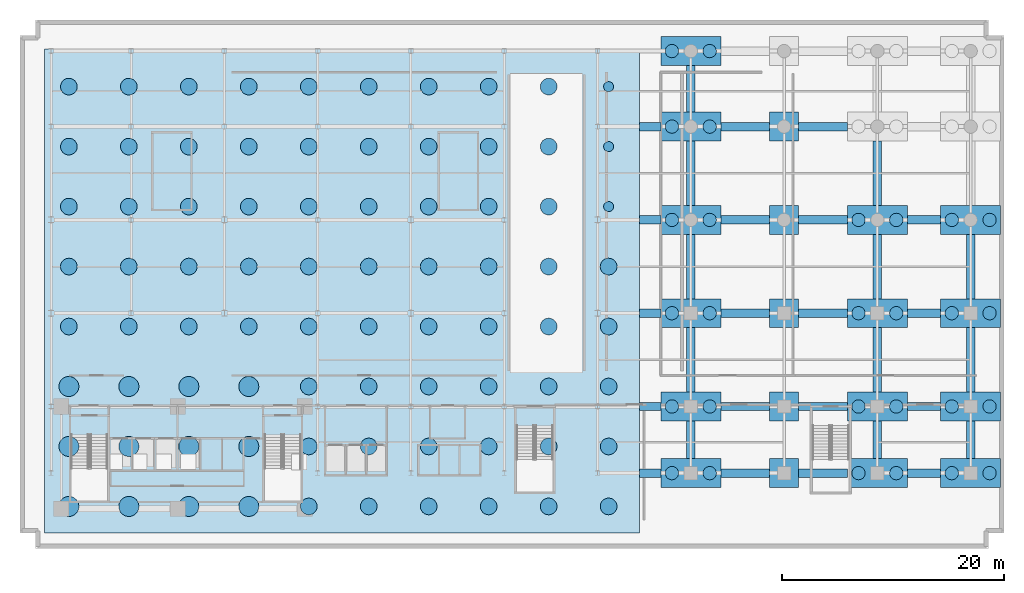
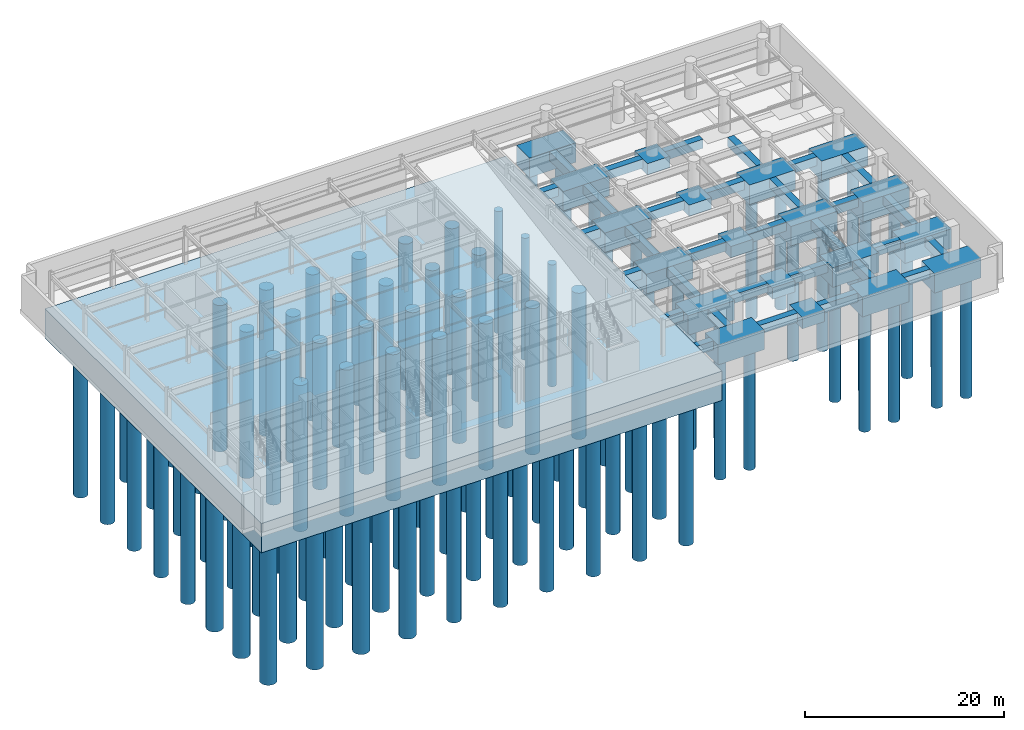
# One storey, part 1 of 14: 108 piles, 51 footings.
"""IFC4 building model written with IfcOpenShell, lengths in metres."""

from ifc_helpers import new_model, si_unit, direction, frame, origin, origin_2d, place, context, subcontext, project, spatial, polyline, rectangle, circle, outline, extrude, material, layer, layer_set, material_profile, profile_set, type_object, element, save


model = new_model("IFC4")

# Units and contexts
model_context = context("Model", 3, precision=1e-05, world=origin(), true_north=direction((0.0, 1.0)))
body_context = subcontext(model_context, "Body", "Model", "MODEL_VIEW")
ifc_project = project(units=[si_unit("LENGTHUNIT", "METRE"), si_unit("AREAUNIT", "SQUARE_METRE"), si_unit("VOLUMEUNIT", "CUBIC_METRE"), si_unit("PLANEANGLEUNIT", "RADIAN"), si_unit("MASSUNIT", "GRAM", prefix="KILO")], contexts=[model_context])

# Site, building, storey
site_placement = place(None, origin())
site = spatial("IfcSite", under=ifc_project, at=site_placement, CompositionType="ELEMENT")
building_placement = place(site_placement, origin())
building = spatial("IfcBuilding", under=site, at=building_placement, Name="Varnakote Quay Hospital", CompositionType="ELEMENT")
storey_placement = place(building_placement, frame((0.0, 0.0, -9.0)))
storey = spatial("IfcBuildingStorey", under=building, at=storey_placement, Name="B02", CompositionType="ELEMENT", Elevation=-9.0)

# Footings
ifc_material_1 = material(Name="Concrete N50 (f'c 50 MPa)", Category="concrete")
ifc_layer_1 = layer(ifc_material_1, 1.39990234375)
ifc_layer_set_1 = layer_set([ifc_layer_1], Name="Concrete N50 (f'c 50 MPa)")
footing_type_1 = type_object("IfcFootingType", Name="FTG-PAD-1400", PredefinedType="PAD_FOOTING", material=ifc_layer_set_1)
for number, where, z_axis, x_axis, name in (
    (1, (67.199951171875, 6.0, -1.39990234375), (0.0, 0.0, 1.0), (1.0, 0.0, 0.0), "Podium Pad Footing PF-20"),
    (2, (67.199951171875, 12.0, -1.39990234375), (0.0, 0.0, 1.0), (1.0, 0.0, 0.0), "Podium Pad Footing PF-21"),
    (3, (67.199951171875, 20.39990234375, -1.39990234375), (0.0, 0.0, 1.0), (1.0, 0.0, 0.0), "Podium Pad Footing PF-22"),
    (4, (67.199951171875, 28.800048828125, -1.39990234375), (0.0, 0.0, 1.0), (1.0, 0.0, 0.0), "Podium Pad Footing PF-23"),
    (5, (67.199951171875, 37.199951171875, -1.39990234375), (0.0, 0.0, 1.0), (1.0, 0.0, 0.0), "Podium Pad Footing PF-24"),
):
    element("IfcFooting", number, at=place(storey_placement, frame(where, z_axis=z_axis, x_axis=x_axis)), inside=storey, type_object=footing_type_1, Name=name, PredefinedType="PAD_FOOTING", context=body_context, shape_type="SweptSolid", body=[
        extrude(rectangle(XDim=2.60009765625, YDim=2.60009765625, at=origin_2d()), origin(), (0.0, 0.0, 1.0), 1.39990234375),
    ])
ifc_material_2 = material(Name="Concrete N50 (f'c 50 MPa)", Category="concrete")
ifc_layer_2 = layer(ifc_material_2, 2.39990234375)
ifc_layer_set_2 = layer_set([ifc_layer_2], Name="Concrete N50 (f'c 50 MPa)")
footing_type_2 = type_object("IfcFootingType", Name="FTG-PILE-CAP-2400", PredefinedType="PILE_CAP", material=ifc_layer_set_2)
for number, where, z_axis, x_axis, name in (
    (6, (58.800048828125, 6.0, -2.39990234375), (0.0, 0.0, 1.0), (1.0, 0.0, 0.0), "Podium Bored Pile Cap PC-02"),
    (7, (58.800048828125, 12.0, -2.39990234375), (0.0, 0.0, 1.0), (1.0, 0.0, 0.0), "Podium Bored Pile Cap PC-03"),
    (8, (58.800048828125, 20.39990234375, -2.39990234375), (0.0, 0.0, 1.0), (1.0, 0.0, 0.0), "Podium Bored Pile Cap PC-04"),
    (9, (58.800048828125, 28.800048828125, -2.39990234375), (0.0, 0.0, 1.0), (1.0, 0.0, 0.0), "Podium Bored Pile Cap PC-05"),
    (10, (58.800048828125, 37.199951171875, -2.39990234375), (0.0, 0.0, 1.0), (1.0, 0.0, 0.0), "Podium Bored Pile Cap PC-06"),
    (11, (58.800048828125, 44.0, -2.39990234375), (0.0, 0.0, 1.0), (1.0, 0.0, 0.0), "Podium Bored Pile Cap PC-07"),
    (12, (75.60009765625, 6.0, -2.39990234375), (0.0, 0.0, 1.0), (1.0, 0.0, 0.0), "Podium Bored Pile Cap PC-08"),
    (13, (75.60009765625, 12.0, -2.39990234375), (0.0, 0.0, 1.0), (1.0, 0.0, 0.0), "Podium Bored Pile Cap PC-09"),
    (14, (75.60009765625, 20.39990234375, -2.39990234375), (0.0, 0.0, 1.0), (1.0, 0.0, 0.0), "Podium Bored Pile Cap PC-10"),
    (15, (75.60009765625, 28.800048828125, -2.39990234375), (0.0, 0.0, 1.0), (1.0, 0.0, 0.0), "Podium Bored Pile Cap PC-11"),
    (16, (84.0, 6.0, -2.39990234375), (0.0, 0.0, 1.0), (1.0, 0.0, 0.0), "Podium Bored Pile Cap PC-14"),
    (17, (84.0, 12.0, -2.39990234375), (0.0, 0.0, 1.0), (1.0, 0.0, 0.0), "Podium Bored Pile Cap PC-15"),
    (18, (84.0, 20.39990234375, -2.39990234375), (0.0, 0.0, 1.0), (1.0, 0.0, 0.0), "Podium Bored Pile Cap PC-16"),
    (19, (84.0, 28.800048828125, -2.39990234375), (0.0, 0.0, 1.0), (1.0, 0.0, 0.0), "Podium Bored Pile Cap PC-17"),
):
    element("IfcFooting", number, at=place(storey_placement, frame(where, z_axis=z_axis, x_axis=x_axis)), inside=storey, type_object=footing_type_2, Name=name, PredefinedType="PILE_CAP", context=body_context, shape_type="SweptSolid", body=[
        extrude(rectangle(XDim=5.39990234375, YDim=2.60009765625, at=origin_2d()), origin(), (0.0, 0.0, 1.0), 2.39990234375),
    ])
ifc_material_3 = material(Name="Concrete N50 (f'c 50 MPa)", Category="concrete")
ifc_layer_3 = layer(ifc_material_3, 3.60009765625)
ifc_layer_set_3 = layer_set([ifc_layer_3], Name="Concrete N50 (f'c 50 MPa)")
footing_type_3 = type_object("IfcFootingType", Name="FTG-PILED-RAFT-3600", PredefinedType="USERDEFINED", material=ifc_layer_set_3)
footing_1_placement = place(storey_placement, frame((0.0, 0.0, -3.60009765625)))
element("IfcFooting", 20, at=footing_1_placement, inside=storey, type_object=footing_type_3, Name="Tower Piled Raft Foundation", ObjectType="PILED_RAFT", PredefinedType="USERDEFINED", context=body_context, shape_type="SweptSolid", body=[
    extrude(outline(polyline([(0.60009765625, 0.60009765625), (54.199951171875, 0.60009765625), (54.199951171875, 44.199951171875), (0.60009765625, 44.199951171875), (0.60009765625, 0.60009765625)])), origin(), (0.0, 0.0, 1.0), 3.60009765625),
])
ifc_material_4 = material(Name="Concrete N50 (f'c 50 MPa)", Category="concrete")
ifc_material_profile_1 = material_profile(ifc_material_4, rectangle(XDim=0.75, YDim=1.10009765625, at=origin_2d()), Name="RC-GB-750x1100")
ifc_profile_set_1 = profile_set([ifc_material_profile_1], Name="Concrete N50 (f'c 50 MPa)")
footing_type_4 = type_object("IfcFootingType", Name="FTG-TIE-BEAM-750x1100", PredefinedType="FOOTING_BEAM", material=ifc_profile_set_1)
footing_2_placement = place(storey_placement, frame((54.199951171875, 6.0, -0.550048828125), z_axis=(1.0, 0.0, 0.0), x_axis=(0.0, 1.0, 0.0)))
element("IfcFooting", 21, at=footing_2_placement, inside=storey, type_object=footing_type_4, Name="Foundation Ground Tie Beam GB-01", PredefinedType="FOOTING_BEAM", context=body_context, shape_type="SweptSolid", body=[
    extrude(rectangle(XDim=0.75, YDim=1.10009765625, at=origin_2d()), origin(), (0.0, 0.0, 1.0), 1.900146484375),
])
for number, where, z_axis, x_axis, name in (
    (22, (61.5, 6.0, -0.550048828125), (1.0, 0.0, 0.0), (0.0, 1.0, 0.0), "Foundation Ground Tie Beam GB-02"),
    (23, (68.5, 6.0, -0.550048828125), (1.0, 0.0, 0.0), (0.0, 1.0, 0.0), "Foundation Ground Tie Beam GB-03"),
):
    element("IfcFooting", number, at=place(storey_placement, frame(where, z_axis=z_axis, x_axis=x_axis)), inside=storey, type_object=footing_type_4, Name=name, PredefinedType="FOOTING_BEAM", context=body_context, shape_type="SweptSolid", body=[
        extrude(rectangle(XDim=0.75, YDim=1.10009765625, at=origin_2d()), origin(), (0.0, 0.0, 1.0), 4.39990234375),
    ])
footing_3_placement = place(storey_placement, frame((78.300048828125, 6.0, -0.550048828125), z_axis=(1.0, 0.0, 0.0), x_axis=(0.0, 1.0, 0.0)))
element("IfcFooting", 24, at=footing_3_placement, inside=storey, type_object=footing_type_4, Name="Foundation Ground Tie Beam GB-04", PredefinedType="FOOTING_BEAM", context=body_context, shape_type="SweptSolid", body=[
    extrude(rectangle(XDim=0.75, YDim=1.10009765625, at=origin_2d()), origin(), (0.0, 0.0, 1.0), 3.0),
])
for number, where, z_axis, x_axis, name in (
    (25, (58.800048828125, 7.300048828125, -0.550048828125), (0.0, 1.0, 0.0), (-1.0, 0.0, 0.0), "Foundation Ground Tie Beam GB-05"),
    (26, (75.60009765625, 7.300048828125, -0.550048828125), (0.0, 1.0, 0.0), (-1.0, 0.0, 0.0), "Foundation Ground Tie Beam GB-06"),
    (27, (84.0, 7.300048828125, -0.550048828125), (0.0, 1.0, 0.0), (-1.0, 0.0, 0.0), "Foundation Ground Tie Beam GB-07"),
):
    element("IfcFooting", number, at=place(storey_placement, frame(where, z_axis=z_axis, x_axis=x_axis)), inside=storey, type_object=footing_type_4, Name=name, PredefinedType="FOOTING_BEAM", context=body_context, shape_type="SweptSolid", body=[
        extrude(rectangle(XDim=0.75, YDim=1.10009765625, at=origin_2d()), origin(), (0.0, 0.0, 1.0), 3.39990234375),
    ])
footing_4_placement = place(storey_placement, frame((54.199951171875, 12.0, -0.550048828125), z_axis=(1.0, 0.0, 0.0), x_axis=(0.0, 1.0, 0.0)))
element("IfcFooting", 28, at=footing_4_placement, inside=storey, type_object=footing_type_4, Name="Foundation Ground Tie Beam GB-08", PredefinedType="FOOTING_BEAM", context=body_context, shape_type="SweptSolid", body=[
    extrude(rectangle(XDim=0.75, YDim=1.10009765625, at=origin_2d()), origin(), (0.0, 0.0, 1.0), 1.900146484375),
])
for number, where, z_axis, x_axis, name in (
    (29, (61.5, 12.0, -0.550048828125), (1.0, 0.0, 0.0), (0.0, 1.0, 0.0), "Foundation Ground Tie Beam GB-09"),
    (30, (68.5, 12.0, -0.550048828125), (1.0, 0.0, 0.0), (0.0, 1.0, 0.0), "Foundation Ground Tie Beam GB-10"),
):
    element("IfcFooting", number, at=place(storey_placement, frame(where, z_axis=z_axis, x_axis=x_axis)), inside=storey, type_object=footing_type_4, Name=name, PredefinedType="FOOTING_BEAM", context=body_context, shape_type="SweptSolid", body=[
        extrude(rectangle(XDim=0.75, YDim=1.10009765625, at=origin_2d()), origin(), (0.0, 0.0, 1.0), 4.39990234375),
    ])
footing_5_placement = place(storey_placement, frame((78.300048828125, 12.0, -0.550048828125), z_axis=(1.0, 0.0, 0.0), x_axis=(0.0, 1.0, 0.0)))
element("IfcFooting", 31, at=footing_5_placement, inside=storey, type_object=footing_type_4, Name="Foundation Ground Tie Beam GB-11", PredefinedType="FOOTING_BEAM", context=body_context, shape_type="SweptSolid", body=[
    extrude(rectangle(XDim=0.75, YDim=1.10009765625, at=origin_2d()), origin(), (0.0, 0.0, 1.0), 3.0),
])
for number, where, z_axis, x_axis, name in (
    (32, (58.800048828125, 13.300048828125, -0.550048828125), (0.0, 1.0, 0.0), (-1.0, 0.0, 0.0), "Foundation Ground Tie Beam GB-12"),
    (33, (75.60009765625, 13.300048828125, -0.550048828125), (0.0, 1.0, 0.0), (-1.0, 0.0, 0.0), "Foundation Ground Tie Beam GB-13"),
    (34, (84.0, 13.300048828125, -0.550048828125), (0.0, 1.0, 0.0), (-1.0, 0.0, 0.0), "Foundation Ground Tie Beam GB-14"),
):
    element("IfcFooting", number, at=place(storey_placement, frame(where, z_axis=z_axis, x_axis=x_axis)), inside=storey, type_object=footing_type_4, Name=name, PredefinedType="FOOTING_BEAM", context=body_context, shape_type="SweptSolid", body=[
        extrude(rectangle(XDim=0.75, YDim=1.10009765625, at=origin_2d()), origin(), (0.0, 0.0, 1.0), 5.800048828125),
    ])
footing_6_placement = place(storey_placement, frame((54.199951171875, 20.39990234375, -0.550048828125), z_axis=(1.0, 0.0, 0.0), x_axis=(0.0, 1.0, 0.0)))
element("IfcFooting", 35, at=footing_6_placement, inside=storey, type_object=footing_type_4, Name="Foundation Ground Tie Beam GB-15", PredefinedType="FOOTING_BEAM", context=body_context, shape_type="SweptSolid", body=[
    extrude(rectangle(XDim=0.75, YDim=1.10009765625, at=origin_2d()), origin(), (0.0, 0.0, 1.0), 1.900146484375),
])
for number, where, z_axis, x_axis, name in (
    (36, (61.5, 20.39990234375, -0.550048828125), (1.0, 0.0, 0.0), (0.0, 1.0, 0.0), "Foundation Ground Tie Beam GB-16"),
    (37, (68.5, 20.39990234375, -0.550048828125), (1.0, 0.0, 0.0), (0.0, 1.0, 0.0), "Foundation Ground Tie Beam GB-17"),
):
    element("IfcFooting", number, at=place(storey_placement, frame(where, z_axis=z_axis, x_axis=x_axis)), inside=storey, type_object=footing_type_4, Name=name, PredefinedType="FOOTING_BEAM", context=body_context, shape_type="SweptSolid", body=[
        extrude(rectangle(XDim=0.75, YDim=1.10009765625, at=origin_2d()), origin(), (0.0, 0.0, 1.0), 4.39990234375),
    ])
footing_7_placement = place(storey_placement, frame((78.300048828125, 20.39990234375, -0.550048828125), z_axis=(1.0, 0.0, 0.0), x_axis=(0.0, 1.0, 0.0)))
element("IfcFooting", 38, at=footing_7_placement, inside=storey, type_object=footing_type_4, Name="Foundation Ground Tie Beam GB-18", PredefinedType="FOOTING_BEAM", context=body_context, shape_type="SweptSolid", body=[
    extrude(rectangle(XDim=0.75, YDim=1.10009765625, at=origin_2d()), origin(), (0.0, 0.0, 1.0), 3.0),
])
for number, where, z_axis, x_axis, name in (
    (39, (58.800048828125, 21.699951171875, -0.550048828125), (0.0, 1.0, 0.0), (-1.0, 0.0, 0.0), "Foundation Ground Tie Beam GB-19"),
    (40, (75.60009765625, 21.699951171875, -0.550048828125), (0.0, 1.0, 0.0), (-1.0, 0.0, 0.0), "Foundation Ground Tie Beam GB-20"),
    (41, (84.0, 21.699951171875, -0.550048828125), (0.0, 1.0, 0.0), (-1.0, 0.0, 0.0), "Foundation Ground Tie Beam GB-21"),
):
    element("IfcFooting", number, at=place(storey_placement, frame(where, z_axis=z_axis, x_axis=x_axis)), inside=storey, type_object=footing_type_4, Name=name, PredefinedType="FOOTING_BEAM", context=body_context, shape_type="SweptSolid", body=[
        extrude(rectangle(XDim=0.75, YDim=1.10009765625, at=origin_2d()), origin(), (0.0, 0.0, 1.0), 5.800048828125),
    ])
footing_8_placement = place(storey_placement, frame((54.199951171875, 28.800048828125, -0.550048828125), z_axis=(1.0, 0.0, 0.0), x_axis=(0.0, 1.0, 0.0)))
element("IfcFooting", 42, at=footing_8_placement, inside=storey, type_object=footing_type_4, Name="Foundation Ground Tie Beam GB-22", PredefinedType="FOOTING_BEAM", context=body_context, shape_type="SweptSolid", body=[
    extrude(rectangle(XDim=0.75, YDim=1.10009765625, at=origin_2d()), origin(), (0.0, 0.0, 1.0), 1.900146484375),
])
for number, where, z_axis, x_axis, name in (
    (43, (61.5, 28.800048828125, -0.550048828125), (1.0, 0.0, 0.0), (0.0, 1.0, 0.0), "Foundation Ground Tie Beam GB-23"),
    (44, (68.5, 28.800048828125, -0.550048828125), (1.0, 0.0, 0.0), (0.0, 1.0, 0.0), "Foundation Ground Tie Beam GB-24"),
):
    element("IfcFooting", number, at=place(storey_placement, frame(where, z_axis=z_axis, x_axis=x_axis)), inside=storey, type_object=footing_type_4, Name=name, PredefinedType="FOOTING_BEAM", context=body_context, shape_type="SweptSolid", body=[
        extrude(rectangle(XDim=0.75, YDim=1.10009765625, at=origin_2d()), origin(), (0.0, 0.0, 1.0), 4.39990234375),
    ])
footing_9_placement = place(storey_placement, frame((78.300048828125, 28.800048828125, -0.550048828125), z_axis=(1.0, 0.0, 0.0), x_axis=(0.0, 1.0, 0.0)))
element("IfcFooting", 45, at=footing_9_placement, inside=storey, type_object=footing_type_4, Name="Foundation Ground Tie Beam GB-25", PredefinedType="FOOTING_BEAM", context=body_context, shape_type="SweptSolid", body=[
    extrude(rectangle(XDim=0.75, YDim=1.10009765625, at=origin_2d()), origin(), (0.0, 0.0, 1.0), 3.0),
])
for number, where, z_axis, x_axis, name in (
    (46, (58.800048828125, 30.10009765625, -0.550048828125), (0.0, 1.0, 0.0), (-1.0, 0.0, 0.0), "Foundation Ground Tie Beam GB-26"),
    (47, (75.60009765625, 30.10009765625, -0.550048828125), (0.0, 1.0, 0.0), (-1.0, 0.0, 0.0), "Foundation Ground Tie Beam GB-27"),
):
    element("IfcFooting", number, at=place(storey_placement, frame(where, z_axis=z_axis, x_axis=x_axis)), inside=storey, type_object=footing_type_4, Name=name, PredefinedType="FOOTING_BEAM", context=body_context, shape_type="SweptSolid", body=[
        extrude(rectangle(XDim=0.75, YDim=1.10009765625, at=origin_2d()), origin(), (0.0, 0.0, 1.0), 5.7998046875),
    ])
footing_10_placement = place(storey_placement, frame((54.199951171875, 37.199951171875, -0.550048828125), z_axis=(1.0, 0.0, 0.0), x_axis=(0.0, 1.0, 0.0)))
element("IfcFooting", 48, at=footing_10_placement, inside=storey, type_object=footing_type_4, Name="Foundation Ground Tie Beam GB-29", PredefinedType="FOOTING_BEAM", context=body_context, shape_type="SweptSolid", body=[
    extrude(rectangle(XDim=0.75, YDim=1.10009765625, at=origin_2d()), origin(), (0.0, 0.0, 1.0), 1.900146484375),
])
for number, where, z_axis, x_axis, name in (
    (49, (61.5, 37.199951171875, -0.550048828125), (1.0, 0.0, 0.0), (0.0, 1.0, 0.0), "Foundation Ground Tie Beam GB-30"),
    (50, (68.5, 37.199951171875, -0.550048828125), (1.0, 0.0, 0.0), (0.0, 1.0, 0.0), "Foundation Ground Tie Beam GB-31"),
):
    element("IfcFooting", number, at=place(storey_placement, frame(where, z_axis=z_axis, x_axis=x_axis)), inside=storey, type_object=footing_type_4, Name=name, PredefinedType="FOOTING_BEAM", context=body_context, shape_type="SweptSolid", body=[
        extrude(rectangle(XDim=0.75, YDim=1.10009765625, at=origin_2d()), origin(), (0.0, 0.0, 1.0), 4.39990234375),
    ])
footing_11_placement = place(storey_placement, frame((58.800048828125, 38.5, -0.550048828125), z_axis=(0.0, 1.0, 0.0), x_axis=(-1.0, 0.0, 0.0)))
element("IfcFooting", 51, at=footing_11_placement, inside=storey, type_object=footing_type_4, Name="Foundation Ground Tie Beam GB-33", PredefinedType="FOOTING_BEAM", context=body_context, shape_type="SweptSolid", body=[
    extrude(rectangle(XDim=0.75, YDim=1.10009765625, at=origin_2d()), origin(), (0.0, 0.0, 1.0), 4.199951171875),
])

# Piles
ifc_material_5 = material(Name="Concrete N50 (f'c 50 MPa)", Category="concrete")
ifc_material_profile_2 = material_profile(ifc_material_5, circle(Radius=0.60009765625, at=origin_2d()), Name="PILE-D1200")
ifc_profile_set_2 = profile_set([ifc_material_profile_2], Name="Concrete N50 (f'c 50 MPa)")
pile_type_1 = type_object("IfcPileType", Name="PILE-BORED-D1200", PredefinedType="BORED", material=ifc_profile_set_2)
for number, where, z_axis, x_axis, name in (
    (52, (57.10009765625, 6.0, -2.280029296875), (0.0, 0.0, -1.0), (1.0, 0.0, 0.0), "Podium Cap Bored Pile P-081"),
    (53, (60.5, 6.0, -2.280029296875), (0.0, 0.0, -1.0), (1.0, 0.0, 0.0), "Podium Cap Bored Pile P-082"),
    (54, (57.10009765625, 12.0, -2.280029296875), (0.0, 0.0, -1.0), (1.0, 0.0, 0.0), "Podium Cap Bored Pile P-083"),
    (55, (60.5, 12.0, -2.280029296875), (0.0, 0.0, -1.0), (1.0, 0.0, 0.0), "Podium Cap Bored Pile P-084"),
    (56, (57.10009765625, 20.39990234375, -2.280029296875), (0.0, 0.0, -1.0), (1.0, 0.0, 0.0), "Podium Cap Bored Pile P-085"),
    (57, (60.5, 20.39990234375, -2.280029296875), (0.0, 0.0, -1.0), (1.0, 0.0, 0.0), "Podium Cap Bored Pile P-086"),
    (58, (57.10009765625, 28.800048828125, -2.280029296875), (0.0, 0.0, -1.0), (1.0, 0.0, 0.0), "Podium Cap Bored Pile P-087"),
    (59, (60.5, 28.800048828125, -2.280029296875), (0.0, 0.0, -1.0), (1.0, 0.0, 0.0), "Podium Cap Bored Pile P-088"),
    (60, (57.10009765625, 37.199951171875, -2.280029296875), (0.0, 0.0, -1.0), (1.0, 0.0, 0.0), "Podium Cap Bored Pile P-089"),
    (61, (60.5, 37.199951171875, -2.280029296875), (0.0, 0.0, -1.0), (1.0, 0.0, 0.0), "Podium Cap Bored Pile P-090"),
    (62, (57.10009765625, 44.0, -2.280029296875), (0.0, 0.0, -1.0), (1.0, 0.0, 0.0), "Podium Cap Bored Pile P-091"),
    (63, (60.5, 44.0, -2.280029296875), (0.0, 0.0, -1.0), (1.0, 0.0, 0.0), "Podium Cap Bored Pile P-092"),
    (64, (73.89990234375, 6.0, -2.280029296875), (0.0, 0.0, -1.0), (1.0, 0.0, 0.0), "Podium Cap Bored Pile P-093"),
    (65, (77.300048828125, 6.0, -2.280029296875), (0.0, 0.0, -1.0), (1.0, 0.0, 0.0), "Podium Cap Bored Pile P-094"),
    (66, (73.89990234375, 12.0, -2.280029296875), (0.0, 0.0, -1.0), (1.0, 0.0, 0.0), "Podium Cap Bored Pile P-095"),
    (67, (77.300048828125, 12.0, -2.280029296875), (0.0, 0.0, -1.0), (1.0, 0.0, 0.0), "Podium Cap Bored Pile P-096"),
    (68, (73.89990234375, 20.39990234375, -2.280029296875), (0.0, 0.0, -1.0), (1.0, 0.0, 0.0), "Podium Cap Bored Pile P-097"),
    (69, (77.300048828125, 20.39990234375, -2.280029296875), (0.0, 0.0, -1.0), (1.0, 0.0, 0.0), "Podium Cap Bored Pile P-098"),
    (70, (73.89990234375, 28.800048828125, -2.280029296875), (0.0, 0.0, -1.0), (1.0, 0.0, 0.0), "Podium Cap Bored Pile P-099"),
    (71, (77.300048828125, 28.800048828125, -2.280029296875), (0.0, 0.0, -1.0), (1.0, 0.0, 0.0), "Podium Cap Bored Pile P-100"),
    (72, (82.300048828125, 6.0, -2.280029296875), (0.0, 0.0, -1.0), (1.0, 0.0, 0.0), "Podium Cap Bored Pile P-105"),
    (73, (85.699951171875, 6.0, -2.280029296875), (0.0, 0.0, -1.0), (1.0, 0.0, 0.0), "Podium Cap Bored Pile P-106"),
    (74, (82.300048828125, 12.0, -2.280029296875), (0.0, 0.0, -1.0), (1.0, 0.0, 0.0), "Podium Cap Bored Pile P-107"),
    (75, (85.699951171875, 12.0, -2.280029296875), (0.0, 0.0, -1.0), (1.0, 0.0, 0.0), "Podium Cap Bored Pile P-108"),
    (76, (82.300048828125, 20.39990234375, -2.280029296875), (0.0, 0.0, -1.0), (1.0, 0.0, 0.0), "Podium Cap Bored Pile P-109"),
    (77, (85.699951171875, 20.39990234375, -2.280029296875), (0.0, 0.0, -1.0), (1.0, 0.0, 0.0), "Podium Cap Bored Pile P-110"),
    (78, (82.300048828125, 28.800048828125, -2.280029296875), (0.0, 0.0, -1.0), (1.0, 0.0, 0.0), "Podium Cap Bored Pile P-111"),
    (79, (85.699951171875, 28.800048828125, -2.280029296875), (0.0, 0.0, -1.0), (1.0, 0.0, 0.0), "Podium Cap Bored Pile P-112"),
):
    element("IfcPile", number, at=place(storey_placement, frame(where, z_axis=z_axis, x_axis=x_axis)), inside=storey, type_object=pile_type_1, Name=name, PredefinedType="BORED", context=body_context, shape_type="SweptSolid", body=[
        extrude(circle(Radius=0.60009765625, at=origin_2d()), origin(), (0.0, 0.0, 1.0), 15.0),
    ])
ifc_material_6 = material(Name="Concrete N50 (f'c 50 MPa)", Category="concrete")
ifc_material_profile_3 = material_profile(ifc_material_6, circle(Radius=0.75, at=origin_2d()), Name="PILE-D1500")
ifc_profile_set_3 = profile_set([ifc_material_profile_3], Name="Concrete N50 (f'c 50 MPa)")
pile_type_2 = type_object("IfcPileType", Name="PILE-BORED-D1500", PredefinedType="BORED", material=ifc_profile_set_3)
for number, where, z_axis, x_axis, name in (
    (80, (2.800048828125, 19.199951171875, -3.47998046875), (0.0, 0.0, -1.0), (1.0, 0.0, 0.0), "Tower Raft Bored Pile P-004"),
    (81, (2.800048828125, 24.60009765625, -3.47998046875), (0.0, 0.0, -1.0), (1.0, 0.0, 0.0), "Tower Raft Bored Pile P-005"),
    (82, (2.800048828125, 30.0, -3.47998046875), (0.0, 0.0, -1.0), (1.0, 0.0, 0.0), "Tower Raft Bored Pile P-006"),
    (83, (2.800048828125, 35.39990234375, -3.47998046875), (0.0, 0.0, -1.0), (1.0, 0.0, 0.0), "Tower Raft Bored Pile P-007"),
    (84, (2.800048828125, 40.800048828125, -3.47998046875), (0.0, 0.0, -1.0), (1.0, 0.0, 0.0), "Tower Raft Bored Pile P-008"),
    (85, (8.199951171875, 19.199951171875, -3.47998046875), (0.0, 0.0, -1.0), (1.0, 0.0, 0.0), "Tower Raft Bored Pile P-012"),
    (86, (8.199951171875, 24.60009765625, -3.47998046875), (0.0, 0.0, -1.0), (1.0, 0.0, 0.0), "Tower Raft Bored Pile P-013"),
    (87, (8.199951171875, 30.0, -3.47998046875), (0.0, 0.0, -1.0), (1.0, 0.0, 0.0), "Tower Raft Bored Pile P-014"),
    (88, (8.199951171875, 35.39990234375, -3.47998046875), (0.0, 0.0, -1.0), (1.0, 0.0, 0.0), "Tower Raft Bored Pile P-015"),
    (89, (8.199951171875, 40.800048828125, -3.47998046875), (0.0, 0.0, -1.0), (1.0, 0.0, 0.0), "Tower Raft Bored Pile P-016"),
    (90, (13.60009765625, 19.199951171875, -3.47998046875), (0.0, 0.0, -1.0), (1.0, 0.0, 0.0), "Tower Raft Bored Pile P-020"),
    (91, (13.60009765625, 24.60009765625, -3.47998046875), (0.0, 0.0, -1.0), (1.0, 0.0, 0.0), "Tower Raft Bored Pile P-021"),
    (92, (13.60009765625, 30.0, -3.47998046875), (0.0, 0.0, -1.0), (1.0, 0.0, 0.0), "Tower Raft Bored Pile P-022"),
    (93, (13.60009765625, 35.39990234375, -3.47998046875), (0.0, 0.0, -1.0), (1.0, 0.0, 0.0), "Tower Raft Bored Pile P-023"),
    (94, (13.60009765625, 40.800048828125, -3.47998046875), (0.0, 0.0, -1.0), (1.0, 0.0, 0.0), "Tower Raft Bored Pile P-024"),
    (95, (19.0, 19.199951171875, -3.47998046875), (0.0, 0.0, -1.0), (1.0, 0.0, 0.0), "Tower Raft Bored Pile P-028"),
    (96, (19.0, 24.60009765625, -3.47998046875), (0.0, 0.0, -1.0), (1.0, 0.0, 0.0), "Tower Raft Bored Pile P-029"),
    (97, (19.0, 30.0, -3.47998046875), (0.0, 0.0, -1.0), (1.0, 0.0, 0.0), "Tower Raft Bored Pile P-030"),
    (98, (19.0, 35.39990234375, -3.47998046875), (0.0, 0.0, -1.0), (1.0, 0.0, 0.0), "Tower Raft Bored Pile P-031"),
    (99, (19.0, 40.800048828125, -3.47998046875), (0.0, 0.0, -1.0), (1.0, 0.0, 0.0), "Tower Raft Bored Pile P-032"),
    (100, (24.39990234375, 3.0, -3.47998046875), (0.0, 0.0, -1.0), (1.0, 0.0, 0.0), "Tower Raft Bored Pile P-033"),
    (101, (24.39990234375, 8.39990234375, -3.47998046875), (0.0, 0.0, -1.0), (1.0, 0.0, 0.0), "Tower Raft Bored Pile P-034"),
    (102, (24.39990234375, 13.800048828125, -3.47998046875), (0.0, 0.0, -1.0), (1.0, 0.0, 0.0), "Tower Raft Bored Pile P-035"),
    (103, (24.39990234375, 19.199951171875, -3.47998046875), (0.0, 0.0, -1.0), (1.0, 0.0, 0.0), "Tower Raft Bored Pile P-036"),
    (104, (24.39990234375, 24.60009765625, -3.47998046875), (0.0, 0.0, -1.0), (1.0, 0.0, 0.0), "Tower Raft Bored Pile P-037"),
    (105, (24.39990234375, 30.0, -3.47998046875), (0.0, 0.0, -1.0), (1.0, 0.0, 0.0), "Tower Raft Bored Pile P-038"),
    (106, (24.39990234375, 35.39990234375, -3.47998046875), (0.0, 0.0, -1.0), (1.0, 0.0, 0.0), "Tower Raft Bored Pile P-039"),
    (107, (24.39990234375, 40.800048828125, -3.47998046875), (0.0, 0.0, -1.0), (1.0, 0.0, 0.0), "Tower Raft Bored Pile P-040"),
    (108, (29.800048828125, 3.0, -3.47998046875), (0.0, 0.0, -1.0), (1.0, 0.0, 0.0), "Tower Raft Bored Pile P-041"),
    (109, (29.800048828125, 8.39990234375, -3.47998046875), (0.0, 0.0, -1.0), (1.0, 0.0, 0.0), "Tower Raft Bored Pile P-042"),
    (110, (29.800048828125, 13.800048828125, -3.47998046875), (0.0, 0.0, -1.0), (1.0, 0.0, 0.0), "Tower Raft Bored Pile P-043"),
    (111, (29.800048828125, 19.199951171875, -3.47998046875), (0.0, 0.0, -1.0), (1.0, 0.0, 0.0), "Tower Raft Bored Pile P-044"),
    (112, (29.800048828125, 24.60009765625, -3.47998046875), (0.0, 0.0, -1.0), (1.0, 0.0, 0.0), "Tower Raft Bored Pile P-045"),
    (113, (29.800048828125, 30.0, -3.47998046875), (0.0, 0.0, -1.0), (1.0, 0.0, 0.0), "Tower Raft Bored Pile P-046"),
    (114, (29.800048828125, 35.39990234375, -3.47998046875), (0.0, 0.0, -1.0), (1.0, 0.0, 0.0), "Tower Raft Bored Pile P-047"),
    (115, (29.800048828125, 40.800048828125, -3.47998046875), (0.0, 0.0, -1.0), (1.0, 0.0, 0.0), "Tower Raft Bored Pile P-048"),
    (116, (35.199951171875, 3.0, -3.47998046875), (0.0, 0.0, -1.0), (1.0, 0.0, 0.0), "Tower Raft Bored Pile P-049"),
    (117, (35.199951171875, 8.39990234375, -3.47998046875), (0.0, 0.0, -1.0), (1.0, 0.0, 0.0), "Tower Raft Bored Pile P-050"),
    (118, (35.199951171875, 13.800048828125, -3.47998046875), (0.0, 0.0, -1.0), (1.0, 0.0, 0.0), "Tower Raft Bored Pile P-051"),
    (119, (35.199951171875, 19.199951171875, -3.47998046875), (0.0, 0.0, -1.0), (1.0, 0.0, 0.0), "Tower Raft Bored Pile P-052"),
    (120, (35.199951171875, 24.60009765625, -3.47998046875), (0.0, 0.0, -1.0), (1.0, 0.0, 0.0), "Tower Raft Bored Pile P-053"),
    (121, (35.199951171875, 30.0, -3.47998046875), (0.0, 0.0, -1.0), (1.0, 0.0, 0.0), "Tower Raft Bored Pile P-054"),
    (122, (35.199951171875, 35.39990234375, -3.47998046875), (0.0, 0.0, -1.0), (1.0, 0.0, 0.0), "Tower Raft Bored Pile P-055"),
    (123, (35.199951171875, 40.800048828125, -3.47998046875), (0.0, 0.0, -1.0), (1.0, 0.0, 0.0), "Tower Raft Bored Pile P-056"),
    (124, (40.60009765625, 3.0, -3.47998046875), (0.0, 0.0, -1.0), (1.0, 0.0, 0.0), "Tower Raft Bored Pile P-057"),
    (125, (40.60009765625, 8.39990234375, -3.47998046875), (0.0, 0.0, -1.0), (1.0, 0.0, 0.0), "Tower Raft Bored Pile P-058"),
    (126, (40.60009765625, 13.800048828125, -3.47998046875), (0.0, 0.0, -1.0), (1.0, 0.0, 0.0), "Tower Raft Bored Pile P-059"),
    (127, (40.60009765625, 19.199951171875, -3.47998046875), (0.0, 0.0, -1.0), (1.0, 0.0, 0.0), "Tower Raft Bored Pile P-060"),
    (128, (40.60009765625, 24.60009765625, -3.47998046875), (0.0, 0.0, -1.0), (1.0, 0.0, 0.0), "Tower Raft Bored Pile P-061"),
    (129, (40.60009765625, 30.0, -3.47998046875), (0.0, 0.0, -1.0), (1.0, 0.0, 0.0), "Tower Raft Bored Pile P-062"),
    (130, (40.60009765625, 35.39990234375, -3.47998046875), (0.0, 0.0, -1.0), (1.0, 0.0, 0.0), "Tower Raft Bored Pile P-063"),
    (131, (40.60009765625, 40.800048828125, -3.47998046875), (0.0, 0.0, -1.0), (1.0, 0.0, 0.0), "Tower Raft Bored Pile P-064"),
    (132, (46.0, 3.0, -3.47998046875), (0.0, 0.0, -1.0), (1.0, 0.0, 0.0), "Tower Raft Bored Pile P-065"),
    (133, (46.0, 8.39990234375, -3.47998046875), (0.0, 0.0, -1.0), (1.0, 0.0, 0.0), "Tower Raft Bored Pile P-066"),
    (134, (46.0, 13.800048828125, -3.47998046875), (0.0, 0.0, -1.0), (1.0, 0.0, 0.0), "Tower Raft Bored Pile P-067"),
    (135, (46.0, 19.199951171875, -3.47998046875), (0.0, 0.0, -1.0), (1.0, 0.0, 0.0), "Tower Raft Bored Pile P-068"),
    (136, (46.0, 24.60009765625, -3.47998046875), (0.0, 0.0, -1.0), (1.0, 0.0, 0.0), "Tower Raft Bored Pile P-069"),
    (137, (46.0, 30.0, -3.47998046875), (0.0, 0.0, -1.0), (1.0, 0.0, 0.0), "Tower Raft Bored Pile P-070"),
    (138, (46.0, 35.39990234375, -3.47998046875), (0.0, 0.0, -1.0), (1.0, 0.0, 0.0), "Tower Raft Bored Pile P-071"),
    (139, (46.0, 40.800048828125, -3.47998046875), (0.0, 0.0, -1.0), (1.0, 0.0, 0.0), "Tower Raft Bored Pile P-072"),
    (140, (51.39990234375, 3.0, -3.47998046875), (0.0, 0.0, -1.0), (1.0, 0.0, 0.0), "Tower Raft Bored Pile P-073"),
    (141, (51.39990234375, 8.39990234375, -3.47998046875), (0.0, 0.0, -1.0), (1.0, 0.0, 0.0), "Tower Raft Bored Pile P-074"),
    (142, (51.39990234375, 13.800048828125, -3.47998046875), (0.0, 0.0, -1.0), (1.0, 0.0, 0.0), "Tower Raft Bored Pile P-075"),
    (143, (51.39990234375, 19.199951171875, -3.47998046875), (0.0, 0.0, -1.0), (1.0, 0.0, 0.0), "Tower Raft Bored Pile P-076"),
    (144, (51.39990234375, 24.60009765625, -3.47998046875), (0.0, 0.0, -1.0), (1.0, 0.0, 0.0), "Tower Raft Bored Pile P-077"),
):
    element("IfcPile", number, at=place(storey_placement, frame(where, z_axis=z_axis, x_axis=x_axis)), inside=storey, type_object=pile_type_2, Name=name, PredefinedType="BORED", context=body_context, shape_type="SweptSolid", body=[
        extrude(circle(Radius=0.75, at=origin_2d()), origin(), (0.0, 0.0, 1.0), 18.0),
    ])
ifc_material_7 = material(Name="Concrete N50 (f'c 50 MPa)", Category="concrete")
ifc_material_profile_4 = material_profile(ifc_material_7, circle(Radius=0.89990234375, at=origin_2d()), Name="PILE-D1800")
ifc_profile_set_4 = profile_set([ifc_material_profile_4], Name="Concrete N50 (f'c 50 MPa)")
pile_type_3 = type_object("IfcPileType", Name="PILE-BORED-D1800", PredefinedType="BORED", material=ifc_profile_set_4)
for number, where, z_axis, x_axis, name in (
    (145, (2.800048828125, 3.0, -3.47998046875), (0.0, 0.0, -1.0), (1.0, 0.0, 0.0), "Tower Raft Bored Pile P-001"),
    (146, (2.800048828125, 8.39990234375, -3.47998046875), (0.0, 0.0, -1.0), (1.0, 0.0, 0.0), "Tower Raft Bored Pile P-002"),
    (147, (2.800048828125, 13.800048828125, -3.47998046875), (0.0, 0.0, -1.0), (1.0, 0.0, 0.0), "Tower Raft Bored Pile P-003"),
    (148, (8.199951171875, 3.0, -3.47998046875), (0.0, 0.0, -1.0), (1.0, 0.0, 0.0), "Tower Raft Bored Pile P-009"),
    (149, (8.199951171875, 8.39990234375, -3.47998046875), (0.0, 0.0, -1.0), (1.0, 0.0, 0.0), "Tower Raft Bored Pile P-010"),
    (150, (8.199951171875, 13.800048828125, -3.47998046875), (0.0, 0.0, -1.0), (1.0, 0.0, 0.0), "Tower Raft Bored Pile P-011"),
    (151, (13.60009765625, 3.0, -3.47998046875), (0.0, 0.0, -1.0), (1.0, 0.0, 0.0), "Tower Raft Bored Pile P-017"),
    (152, (13.60009765625, 8.39990234375, -3.47998046875), (0.0, 0.0, -1.0), (1.0, 0.0, 0.0), "Tower Raft Bored Pile P-018"),
    (153, (13.60009765625, 13.800048828125, -3.47998046875), (0.0, 0.0, -1.0), (1.0, 0.0, 0.0), "Tower Raft Bored Pile P-019"),
    (154, (19.0, 3.0, -3.47998046875), (0.0, 0.0, -1.0), (1.0, 0.0, 0.0), "Tower Raft Bored Pile P-025"),
    (155, (19.0, 8.39990234375, -3.47998046875), (0.0, 0.0, -1.0), (1.0, 0.0, 0.0), "Tower Raft Bored Pile P-026"),
    (156, (19.0, 13.800048828125, -3.47998046875), (0.0, 0.0, -1.0), (1.0, 0.0, 0.0), "Tower Raft Bored Pile P-027"),
):
    element("IfcPile", number, at=place(storey_placement, frame(where, z_axis=z_axis, x_axis=x_axis)), inside=storey, type_object=pile_type_3, Name=name, PredefinedType="BORED", context=body_context, shape_type="SweptSolid", body=[
        extrude(circle(Radius=0.89990234375, at=origin_2d()), origin(), (0.0, 0.0, 1.0), 18.0),
    ])
ifc_material_8 = material(Name="Concrete N50 (f'c 50 MPa)", Category="concrete")
ifc_material_profile_5 = material_profile(ifc_material_8, circle(Radius=0.449951171875, at=origin_2d()), Name="PILE-D900")
ifc_profile_set_5 = profile_set([ifc_material_profile_5], Name="Concrete N50 (f'c 50 MPa)")
pile_type_4 = type_object("IfcPileType", Name="PILE-BORED-D900", PredefinedType="BORED", material=ifc_profile_set_5)
for number, where, z_axis, x_axis, name in (
    (157, (51.39990234375, 30.0, -3.47998046875), (0.0, 0.0, -1.0), (1.0, 0.0, 0.0), "Tower Raft Bored Pile P-078"),
    (158, (51.39990234375, 35.39990234375, -3.47998046875), (0.0, 0.0, -1.0), (1.0, 0.0, 0.0), "Tower Raft Bored Pile P-079"),
    (159, (51.39990234375, 40.800048828125, -3.47998046875), (0.0, 0.0, -1.0), (1.0, 0.0, 0.0), "Tower Raft Bored Pile P-080"),
):
    element("IfcPile", number, at=place(storey_placement, frame(where, z_axis=z_axis, x_axis=x_axis)), inside=storey, type_object=pile_type_4, Name=name, PredefinedType="BORED", context=body_context, shape_type="SweptSolid", body=[
        extrude(circle(Radius=0.449951171875, at=origin_2d()), origin(), (0.0, 0.0, 1.0), 15.0),
    ])

save(model, "model.ifc")
